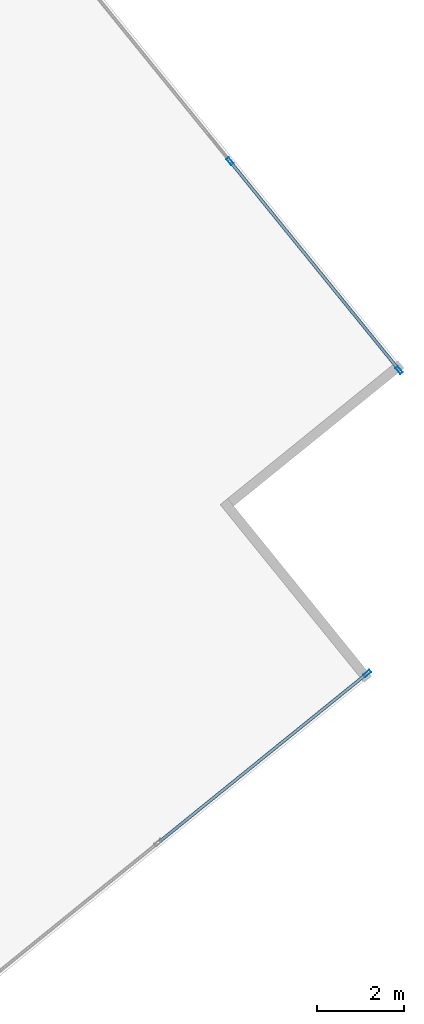
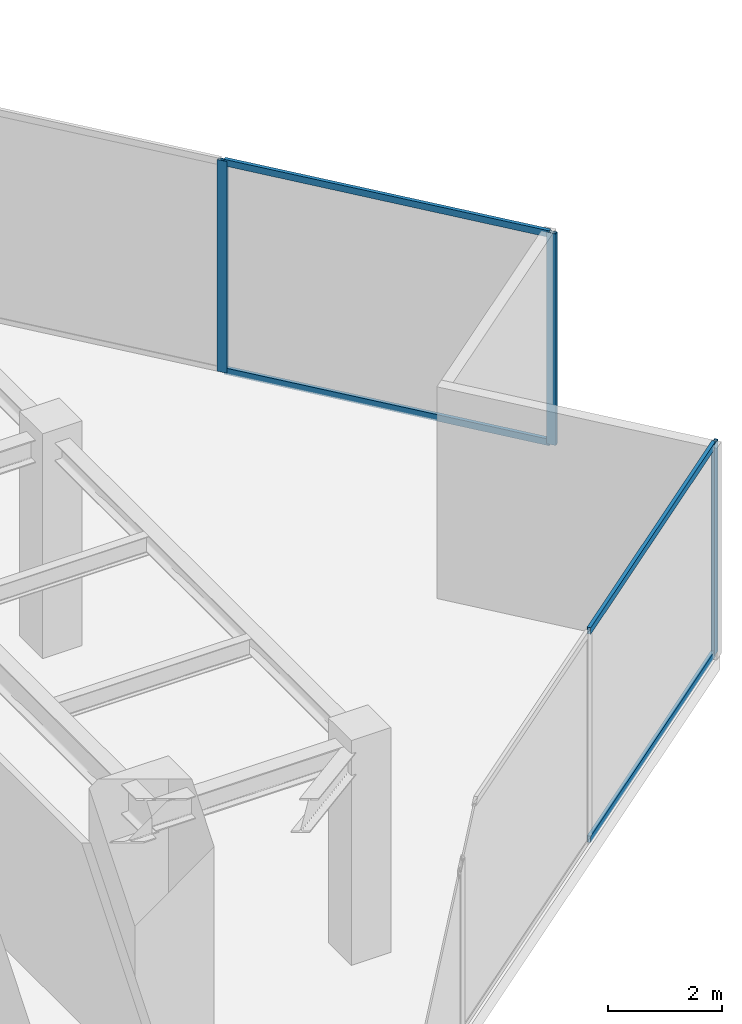
# One storey, part 10 of 22: 7 members, 2 elements without a shape of their own.
"""IFC4 building model written with IfcOpenShell, lengths in metres."""

from ifc_helpers import new_model, si_unit, direction, frame, origin, origin_2d, place, context, subcontext, project, spatial, hollow_rectangle, extrude, source, transform, mapped, material, material_profile, profile_set, type_object, type_shapes, element, aggregate, save


model = new_model("IFC4")

# Units and contexts
model_context = context("Model", 3, precision=1e-05, world=origin(), true_north=direction((0.0, 1.0)))
body_context = subcontext(model_context, "Body", "Model", "MODEL_VIEW")
ifc_project = project(units=[si_unit("LENGTHUNIT", "METRE"), si_unit("AREAUNIT", "SQUARE_METRE"), si_unit("VOLUMEUNIT", "CUBIC_METRE"), si_unit("PLANEANGLEUNIT", "RADIAN"), si_unit("MASSUNIT", "GRAM", prefix="KILO")], contexts=[model_context])

# Site, building, storey
site_placement = place(None, origin())
site = spatial("IfcSite", under=ifc_project, at=site_placement, CompositionType="ELEMENT")
building_placement = place(site_placement, origin())
building = spatial("IfcBuilding", under=site, at=building_placement, Name="Krantzveldt Concourse Tower", CompositionType="ELEMENT")
storey_placement = place(building_placement, frame((0.0, 0.0, 262.60009765625)))
storey = spatial("IfcBuildingStorey", under=building, at=storey_placement, Name="L64", CompositionType="ELEMENT", Elevation=262.60009765625)

# Curtain wall, member
ifc_material = material(Name="Anodised aluminium 6063-T6", Category="aluminium")
curtain_wall_type = type_object("IfcCurtainWallType", Name="CW5", PredefinedType="USERDEFINED", material=ifc_material)
curtain_wall_1_placement = place(storey_placement, origin())
curtain_wall_1 = element("IfcCurtainWall", 1, at=curtain_wall_1_placement, inside=storey, type_object=curtain_wall_type, Name="CW-L64-F07", ObjectType="UNITISED CURTAIN WALL", PredefinedType="USERDEFINED")
ifc_material_profile_1 = material_profile(ifc_material, hollow_rectangle(XDim=0.070068359375, YDim=0.179931640625, WallThickness=0.0048828125, at=origin_2d()), Name="Anodised aluminium 6063-T6", Category="aluminium")
ifc_profile_set_1 = profile_set([ifc_material_profile_1], Name="Anodised aluminium 6063-T6 - ALU-MULL 180x70x5")
member_type_1 = type_object("IfcMemberType", Name="CW-MUL-180", PredefinedType="MULLION", material=ifc_profile_set_1)
shared_shape_1 = source(origin(), body_context, "Body", "SweptSolid", [
    extrude(hollow_rectangle(XDim=0.070068359375, YDim=0.179931640625, WallThickness=0.0048828125, at=origin_2d()), origin(), (0.0, 0.0, 1.0), 4.52001953125),
])
type_shapes(member_type_1, [shared_shape_1])
member_1_placement = place(storey_placement, frame((60.863037109375, 20.57080078125, 0.0), z_axis=(0.0, 0.0, 1.0), x_axis=(-0.629320425502, 0.777145933558, 0.0)))
member_1 = element("IfcMember", 2, at=member_1_placement, type_object=member_type_1, Name="CW-SKY mullion 6", PredefinedType="MULLION", context=body_context, shape_type="MappedRepresentation", body=[
    mapped(shared_shape_1, transform((0.0, 0.0, 0.0), x_axis=(1.0, 0.0, 0.0), y_axis=(0.0, 1.0, 0.0), z_axis=(0.0, 0.0, 1.0), scale=1.0)),
])

# Curtain wall, members
curtain_wall_2_placement = place(storey_placement, origin())
curtain_wall_2 = element("IfcCurtainWall", 3, at=curtain_wall_2_placement, inside=storey, type_object=curtain_wall_type, Name="CW-L64-F10", ObjectType="UNITISED CURTAIN WALL", PredefinedType="USERDEFINED")
member_2_placement = place(storey_placement, frame((61.593994140625, 27.52587890625, 0.0), z_axis=(0.0, 0.0, 1.0), x_axis=(-0.777145933558, -0.629320425502, 0.0)))
member_2 = element("IfcMember", 4, at=member_2_placement, type_object=member_type_1, Name="CW-SKY mullion 1", PredefinedType="MULLION", context=body_context, shape_type="MappedRepresentation", body=[
    mapped(shared_shape_1, transform((0.0, 0.0, 0.0), x_axis=(1.0, 0.0, 0.0), y_axis=(0.0, 1.0, 0.0), z_axis=(0.0, 0.0, 1.0), scale=1.0)),
])
member_3_placement = place(storey_placement, frame((57.71435546875, 32.31689453125, 0.0), z_axis=(0.0, 0.0, 1.0), x_axis=(-0.777145933558, -0.629320425502, 0.0)))
member_3 = element("IfcMember", 5, at=member_3_placement, type_object=member_type_1, Name="CW-SKY mullion 2", PredefinedType="MULLION", context=body_context, shape_type="MappedRepresentation", body=[
    mapped(shared_shape_1, transform((0.0, 0.0, 0.0), x_axis=(1.0, 0.0, 0.0), y_axis=(0.0, 1.0, 0.0), z_axis=(0.0, 0.0, 1.0), scale=1.0)),
])

# Member
ifc_material_profile_2 = material_profile(ifc_material, hollow_rectangle(XDim=0.070068359375, YDim=0.139892578125, WallThickness=0.0048828125, at=origin_2d()), Name="Anodised aluminium 6063-T6", Category="aluminium")
ifc_profile_set_2 = profile_set([ifc_material_profile_2], Name="Anodised aluminium 6063-T6 - ALU-TRAN 140x70x5")
member_type_2 = type_object("IfcMemberType", Name="CW-TRN-150", PredefinedType="USERDEFINED", material=ifc_profile_set_2)
shared_shape_2 = source(origin(), body_context, "Body", "SweptSolid", [
    extrude(hollow_rectangle(XDim=0.070068359375, YDim=0.139892578125, WallThickness=0.0048828125, at=origin_2d()), origin(), (0.0, 0.0, 1.0), 6.094970703125),
])
type_shapes(member_type_2, [shared_shape_2])
member_4_placement = place(storey_placement, frame((56.09912109375, 16.713134765625, 0.034912109375), z_axis=(0.777138517507, 0.629329583452, 0.0), x_axis=(-0.629329583452, 0.777138517507, 0.0)))
member_4 = element("IfcMember", 6, at=member_4_placement, type_object=member_type_2, Name="CW-SKY transom 5.1", ObjectType="TRANSOM", PredefinedType="USERDEFINED", context=body_context, shape_type="MappedRepresentation", body=[
    mapped(shared_shape_2, transform((0.0, 0.0, 0.0), x_axis=(1.0, 0.0, 0.0), y_axis=(0.0, 1.0, 0.0), z_axis=(0.0, 0.0, 1.0), scale=1.0)),
])

member_5_placement = place(storey_placement, frame((56.09912109375, 16.713134765625, 4.48486328125), z_axis=(0.777138517507, 0.629329583452, 0.0), x_axis=(-0.629329583452, 0.777138517507, 0.0)))
member_5 = element("IfcMember", 7, at=member_5_placement, type_object=member_type_2, Name="CW-SKY transom 5.2", ObjectType="TRANSOM", PredefinedType="USERDEFINED", context=body_context, shape_type="MappedRepresentation", body=[
    mapped(shared_shape_2, transform((0.0, 0.0, 0.0), x_axis=(1.0, 0.0, 0.0), y_axis=(0.0, 1.0, 0.0), z_axis=(0.0, 0.0, 1.0), scale=1.0)),
])

aggregate(curtain_wall_1, [member_1, member_4, member_5])

member_6_placement = place(storey_placement, frame((61.572021484375, 27.552978515625, 0.034912109375), z_axis=(-0.629309993119, 0.77715438142, 0.0), x_axis=(-0.77715438142, -0.629309993119, 0.0)))
member_6 = element("IfcMember", 8, at=member_6_placement, type_object=member_type_2, Name="CW-SKY transom 1.1", ObjectType="TRANSOM", PredefinedType="USERDEFINED", context=body_context, shape_type="MappedRepresentation", body=[
    mapped(shared_shape_2, transform((0.0, 0.0, 0.0), x_axis=(1.0, 0.0, 0.0), y_axis=(0.0, 1.0, 0.0), z_axis=(0.0, 0.0, 1.0), scale=1.0)),
])

member_7_placement = place(storey_placement, frame((61.572021484375, 27.552978515625, 4.48486328125), z_axis=(-0.629309993119, 0.77715438142, 0.0), x_axis=(-0.77715438142, -0.629309993119, 0.0)))
member_7 = element("IfcMember", 9, at=member_7_placement, type_object=member_type_2, Name="CW-SKY transom 1.2", ObjectType="TRANSOM", PredefinedType="USERDEFINED", context=body_context, shape_type="MappedRepresentation", body=[
    mapped(shared_shape_2, transform((0.0, 0.0, 0.0), x_axis=(1.0, 0.0, 0.0), y_axis=(0.0, 1.0, 0.0), z_axis=(0.0, 0.0, 1.0), scale=1.0)),
])

aggregate(curtain_wall_2, [member_2, member_3, member_6, member_7])

save(model, "model.ifc")
